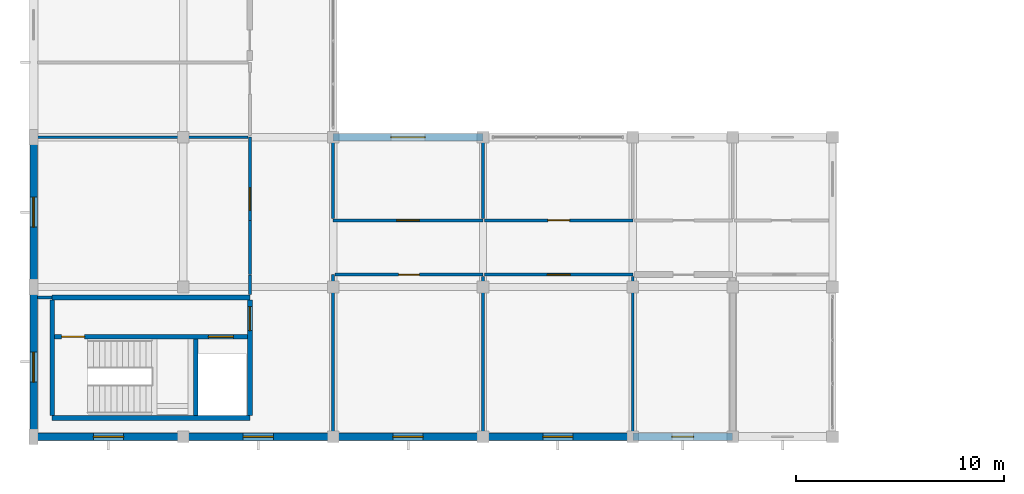
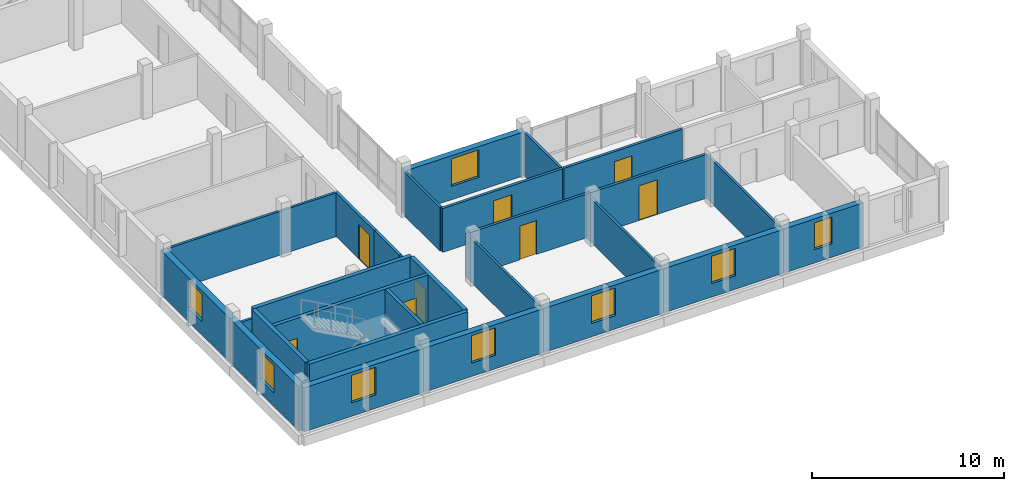
# One storey, part 54 of 66: 28 walls, 8 doors, 8 windows, 16 openings.
"""IFC4 building model written with IfcOpenShell, lengths in metres."""

from ifc_helpers import new_model, si_unit, direction, frame, frame_2d, origin, origin_with_axes, place, context, subcontext, project, spatial, rectangle, extrude, material, layer, layer_set, type_object, element, fill, save


model = new_model("IFC4")

# Units and contexts
model_context = context("Model", 3, precision=1e-05, world=origin(), true_north=direction((0.0, 1.0)))
body_context = subcontext(model_context, "Body", "Model", "MODEL_VIEW")
ifc_project = project(units=[si_unit("LENGTHUNIT", "METRE"), si_unit("AREAUNIT", "SQUARE_METRE"), si_unit("VOLUMEUNIT", "CUBIC_METRE"), si_unit("PLANEANGLEUNIT", "RADIAN"), si_unit("MASSUNIT", "GRAM", prefix="KILO")], contexts=[model_context])

# Site, building, storey
site_placement = place(None, origin())
site = spatial("IfcSite", under=ifc_project, at=site_placement, CompositionType="ELEMENT")
building_placement = place(site_placement, origin())
building = spatial("IfcBuilding", under=site, at=building_placement, Name="Zornivar Specialist Clinic", CompositionType="ELEMENT")
storey_placement = place(building_placement, frame((0.0, 0.0, 16.0)))
storey = spatial("IfcBuildingStorey", under=building, at=storey_placement, Name="L04", CompositionType="ELEMENT", Elevation=16.0)

# Wall, opening, window
ifc_material_1 = material(Name="Masonry Red-Ochre Brick and Stone Insulated Wall", Category="masonry")
ifc_layer_1 = layer(ifc_material_1, 0.360107421875)
ifc_layer_set_1 = layer_set([ifc_layer_1], Name="Masonry Red-Ochre Brick and Stone Insulated Wall")
wall_type_1 = type_object("IfcWallType", Name="EW-BRICK-360", PredefinedType="SOLIDWALL", material=ifc_layer_set_1)
wall_1_placement = place(storey_placement, origin_with_axes())
wall_1 = element("IfcWall", 1, at=wall_1_placement, inside=storey, type_object=wall_type_1, Name="ew:V2:L04:00", PredefinedType="SOLIDWALL", context=body_context, shape_type="SweptSolid", body=[
    extrude(rectangle(XDim=7.199951171875, YDim=0.360107421875, at=frame_2d((3.60009765625, 0.0))), origin(), (0.0, 0.0, 1.0), 2.800048828125),
])
opening_1_placement = place(wall_1_placement, frame((2.875, 0.0, 0.85009765625)))
opening_1 = element("IfcOpeningElement", 2, at=opening_1_placement, cuts=wall_1, Name="Opening W-08", PredefinedType="OPENING", context=body_context, shape_type="SweptSolid", body=[
    extrude(rectangle(XDim=1.449951171875, YDim=1.75, at=frame_2d((0.72509765625, 0.875))), frame((0.0, 0.18994140625, 0.0), z_axis=(0.0, -1.0, 0.0), x_axis=(1.0, 0.0, 0.0)), (0.0, 0.0, 1.0), 0.380126953125),
])
ifc_material_2 = material(Name="Triple-Glazed Aluminium-Timber Window Glass", Category="wood")
window_type_1 = type_object("IfcWindowType", Name="WIN-CUMBA-STREET-1450x1750", PartitioningType="SINGLE_PANEL", PredefinedType="WINDOW", material=ifc_material_2)
window_1_placement = place(opening_1_placement, origin())
window_1 = element("IfcWindow", 3, at=window_1_placement, inside=storey, type_object=window_type_1, Name="win:V2:L04:00", OverallHeight=1.75, OverallWidth=1.449951171875, PartitioningType="SINGLE_PANEL", PredefinedType="WINDOW", context=body_context, shape_type="SweptSolid", body=[
    extrude(rectangle(XDim=1.449951171875, YDim=1.75, at=frame_2d((0.72509765625, 0.875))), frame((0.0, 0.030029296875, 0.0), z_axis=(0.0, -1.0, 0.0), x_axis=(1.0, 0.0, 0.0)), (0.0, 0.0, 1.0), 0.06005859375),
])
fill(opening_1, window_1)

wall_2_placement = place(storey_placement, frame((7.199951171875, 0.0, 0.0), z_axis=(0.0, 0.0, 1.0), x_axis=(1.0, 0.0, 0.0)))
wall_2 = element("IfcWall", 4, at=wall_2_placement, inside=storey, type_object=wall_type_1, Name="ew:V2:L04:01", PredefinedType="SOLIDWALL", context=body_context, shape_type="SweptSolid", body=[
    extrude(rectangle(XDim=7.199951171875, YDim=0.360107421875, at=frame_2d((3.60009765625, 0.0))), origin(), (0.0, 0.0, 1.0), 2.800048828125),
])
opening_2_placement = place(wall_2_placement, frame((2.875, 0.0, 0.85009765625)))
opening_2 = element("IfcOpeningElement", 5, at=opening_2_placement, cuts=wall_2, Name="Opening W-08", PredefinedType="OPENING", context=body_context, shape_type="SweptSolid", body=[
    extrude(rectangle(XDim=1.449951171875, YDim=1.75, at=frame_2d((0.72509765625, 0.875))), frame((0.0, 0.18994140625, 0.0), z_axis=(0.0, -1.0, 0.0), x_axis=(1.0, 0.0, 0.0)), (0.0, 0.0, 1.0), 0.380126953125),
])
window_2_placement = place(opening_2_placement, origin())
window_2 = element("IfcWindow", 6, at=window_2_placement, inside=storey, type_object=window_type_1, Name="win:V2:L04:01", OverallHeight=1.75, OverallWidth=1.449951171875, PartitioningType="SINGLE_PANEL", PredefinedType="WINDOW", context=body_context, shape_type="SweptSolid", body=[
    extrude(rectangle(XDim=1.449951171875, YDim=1.75, at=frame_2d((0.72509765625, 0.875))), frame((0.0, 0.030029296875, 0.0), z_axis=(0.0, -1.0, 0.0), x_axis=(1.0, 0.0, 0.0)), (0.0, 0.0, 1.0), 0.06005859375),
])
fill(opening_2, window_2)

wall_3_placement = place(storey_placement, frame((14.39990234375, 0.0, 0.0), z_axis=(0.0, 0.0, 1.0), x_axis=(1.0, 0.0, 0.0)))
wall_3 = element("IfcWall", 7, at=wall_3_placement, inside=storey, type_object=wall_type_1, Name="ew:V2:L04:02", PredefinedType="SOLIDWALL", context=body_context, shape_type="SweptSolid", body=[
    extrude(rectangle(XDim=7.2001953125, YDim=0.360107421875, at=frame_2d((3.60009765625, 0.0))), origin(), (0.0, 0.0, 1.0), 2.800048828125),
])
opening_3_placement = place(wall_3_placement, frame((2.875, 0.0, 0.85009765625)))
opening_3 = element("IfcOpeningElement", 8, at=opening_3_placement, cuts=wall_3, Name="Opening W-08", PredefinedType="OPENING", context=body_context, shape_type="SweptSolid", body=[
    extrude(rectangle(XDim=1.449951171875, YDim=1.75, at=frame_2d((0.72509765625, 0.875))), frame((0.0, 0.18994140625, 0.0), z_axis=(0.0, -1.0, 0.0), x_axis=(1.0, 0.0, 0.0)), (0.0, 0.0, 1.0), 0.380126953125),
])
window_3_placement = place(opening_3_placement, origin())
window_3 = element("IfcWindow", 9, at=window_3_placement, inside=storey, type_object=window_type_1, Name="win:V2:L04:02", OverallHeight=1.75, OverallWidth=1.449951171875, PartitioningType="SINGLE_PANEL", PredefinedType="WINDOW", context=body_context, shape_type="SweptSolid", body=[
    extrude(rectangle(XDim=1.449951171875, YDim=1.75, at=frame_2d((0.72509765625, 0.875))), frame((0.0, 0.030029296875, 0.0), z_axis=(0.0, -1.0, 0.0), x_axis=(1.0, 0.0, 0.0)), (0.0, 0.0, 1.0), 0.06005859375),
])
fill(opening_3, window_3)

wall_4_placement = place(storey_placement, frame((21.60009765625, 0.0, 0.0), z_axis=(0.0, 0.0, 1.0), x_axis=(1.0, 0.0, 0.0)))
wall_4 = element("IfcWall", 10, at=wall_4_placement, inside=storey, type_object=wall_type_1, Name="ew:V2:L04:03", PredefinedType="SOLIDWALL", context=body_context, shape_type="SweptSolid", body=[
    extrude(rectangle(XDim=7.199951171875, YDim=0.360107421875, at=frame_2d((3.60009765625, 0.0))), origin(), (0.0, 0.0, 1.0), 2.800048828125),
])
opening_4_placement = place(wall_4_placement, frame((2.875, 0.0, 0.85009765625)))
opening_4 = element("IfcOpeningElement", 11, at=opening_4_placement, cuts=wall_4, Name="Opening W-08", PredefinedType="OPENING", context=body_context, shape_type="SweptSolid", body=[
    extrude(rectangle(XDim=1.449951171875, YDim=1.75, at=frame_2d((0.72509765625, 0.875))), frame((0.0, 0.18994140625, 0.0), z_axis=(0.0, -1.0, 0.0), x_axis=(1.0, 0.0, 0.0)), (0.0, 0.0, 1.0), 0.380126953125),
])
window_4_placement = place(opening_4_placement, origin())
window_4 = element("IfcWindow", 12, at=window_4_placement, inside=storey, type_object=window_type_1, Name="win:V2:L04:03", OverallHeight=1.75, OverallWidth=1.449951171875, PartitioningType="SINGLE_PANEL", PredefinedType="WINDOW", context=body_context, shape_type="SweptSolid", body=[
    extrude(rectangle(XDim=1.449951171875, YDim=1.75, at=frame_2d((0.72509765625, 0.875))), frame((0.0, 0.030029296875, 0.0), z_axis=(0.0, -1.0, 0.0), x_axis=(1.0, 0.0, 0.0)), (0.0, 0.0, 1.0), 0.06005859375),
])
fill(opening_4, window_4)

wall_5_placement = place(storey_placement, frame((28.800048828125, 0.0, 0.0), z_axis=(0.0, 0.0, 1.0), x_axis=(1.0, 0.0, 0.0)))
wall_5 = element("IfcWall", 13, at=wall_5_placement, inside=storey, type_object=wall_type_1, Name="ew:V2:L04:04", PredefinedType="SOLIDWALL", context=body_context, shape_type="SweptSolid", body=[
    extrude(rectangle(XDim=4.800048828125, YDim=0.360107421875, at=frame_2d((2.39990234375, 0.0))), origin(), (0.0, 0.0, 1.0), 2.800048828125),
])
opening_5_placement = place(wall_5_placement, frame((1.875, 0.0, 0.85009765625)))
opening_5 = element("IfcOpeningElement", 14, at=opening_5_placement, cuts=wall_5, Name="Opening W-10", PredefinedType="OPENING", context=body_context, shape_type="SweptSolid", body=[
    extrude(rectangle(XDim=1.050048828125, YDim=1.699951171875, at=frame_2d((0.52490234375, 0.85009765625))), frame((0.0, 0.18994140625, 0.0), z_axis=(0.0, -1.0, 0.0), x_axis=(1.0, 0.0, 0.0)), (0.0, 0.0, 1.0), 0.380126953125),
])
ifc_material_3 = material(Name="Triple-Glazed Aluminium-Timber Window Glass", Category="wood")
window_type_2 = type_object("IfcWindowType", Name="WIN-CUMBA-PIER-1050x1700", PartitioningType="SINGLE_PANEL", PredefinedType="WINDOW", material=ifc_material_3)
window_5_placement = place(opening_5_placement, origin())
window_5 = element("IfcWindow", 15, at=window_5_placement, inside=storey, type_object=window_type_2, Name="win:V2:L04:04", OverallHeight=1.699951171875, OverallWidth=1.050048828125, PartitioningType="SINGLE_PANEL", PredefinedType="WINDOW", context=body_context, shape_type="SweptSolid", body=[
    extrude(rectangle(XDim=1.050048828125, YDim=1.699951171875, at=frame_2d((0.52490234375, 0.85009765625))), frame((0.0, 0.030029296875, 0.0), z_axis=(0.0, -1.0, 0.0), x_axis=(1.0, 0.0, 0.0)), (0.0, 0.0, 1.0), 0.06005859375),
])
fill(opening_5, window_5)

wall_6_placement = place(storey_placement, frame((21.60009765625, 14.39990234375, 0.0), z_axis=(0.0, 0.0, 1.0), x_axis=(-1.0, 0.0, 0.0)))
wall_6 = element("IfcWall", 16, at=wall_6_placement, inside=storey, type_object=wall_type_1, Name="ew:V2:L04:11", PredefinedType="SOLIDWALL", context=body_context, shape_type="SweptSolid", body=[
    extrude(rectangle(XDim=7.2001953125, YDim=0.360107421875, at=frame_2d((3.60009765625, 0.0))), origin(), (0.0, 0.0, 1.0), 2.800048828125),
])
opening_6_placement = place(wall_6_placement, frame((2.77490234375, 0.0, 0.85009765625)))
opening_6 = element("IfcOpeningElement", 17, at=opening_6_placement, cuts=wall_6, Name="Opening W-09", PredefinedType="OPENING", context=body_context, shape_type="SweptSolid", body=[
    extrude(rectangle(XDim=1.64990234375, YDim=1.75, at=frame_2d((0.824951171875, 0.875))), frame((0.0, 0.18994140625, 0.0), z_axis=(0.0, -1.0, 0.0), x_axis=(1.0, 0.0, 0.0)), (0.0, 0.0, 1.0), 0.380126953125),
])
ifc_material_4 = material(Name="Triple-Glazed Aluminium-Timber Window Glass", Category="wood")
window_type_3 = type_object("IfcWindowType", Name="WIN-CUMBA-COURT-1650x1750", PartitioningType="SINGLE_PANEL", PredefinedType="WINDOW", material=ifc_material_4)
window_6_placement = place(opening_6_placement, origin())
window_6 = element("IfcWindow", 18, at=window_6_placement, inside=storey, type_object=window_type_3, Name="win:V2:L04:11", OverallHeight=1.75, OverallWidth=1.64990234375, PartitioningType="SINGLE_PANEL", PredefinedType="WINDOW", context=body_context, shape_type="SweptSolid", body=[
    extrude(rectangle(XDim=1.64990234375, YDim=1.75, at=frame_2d((0.824951171875, 0.875))), frame((0.0, 0.030029296875, 0.0), z_axis=(0.0, -1.0, 0.0), x_axis=(1.0, 0.0, 0.0)), (0.0, 0.0, 1.0), 0.06005859375),
])
fill(opening_6, window_6)

wall_7_placement = place(storey_placement, frame((0.0, 14.39990234375, 0.0), z_axis=(0.0, 0.0, 1.0), x_axis=(0.0, -1.0, 0.0)))
wall_7 = element("IfcWall", 19, at=wall_7_placement, inside=storey, type_object=wall_type_1, Name="ew:V2:L04:24", PredefinedType="SOLIDWALL", context=body_context, shape_type="SweptSolid", body=[
    extrude(rectangle(XDim=7.199951171875, YDim=0.360107421875, at=frame_2d((3.60009765625, 0.0))), origin(), (0.0, 0.0, 1.0), 2.800048828125),
])
opening_7_placement = place(wall_7_placement, frame((2.875, 0.0, 0.85009765625)))
opening_7 = element("IfcOpeningElement", 20, at=opening_7_placement, cuts=wall_7, Name="Opening W-08", PredefinedType="OPENING", context=body_context, shape_type="SweptSolid", body=[
    extrude(rectangle(XDim=1.449951171875, YDim=1.75, at=frame_2d((0.72509765625, 0.875))), frame((0.0, 0.18994140625, 0.0), z_axis=(0.0, -1.0, 0.0), x_axis=(1.0, 0.0, 0.0)), (0.0, 0.0, 1.0), 0.380126953125),
])
window_7_placement = place(opening_7_placement, origin())
window_7 = element("IfcWindow", 21, at=window_7_placement, inside=storey, type_object=window_type_1, Name="win:V2:L04:24", OverallHeight=1.75, OverallWidth=1.449951171875, PartitioningType="SINGLE_PANEL", PredefinedType="WINDOW", context=body_context, shape_type="SweptSolid", body=[
    extrude(rectangle(XDim=1.449951171875, YDim=1.75, at=frame_2d((0.72509765625, 0.875))), frame((0.0, 0.030029296875, 0.0), z_axis=(0.0, -1.0, 0.0), x_axis=(1.0, 0.0, 0.0)), (0.0, 0.0, 1.0), 0.06005859375),
])
fill(opening_7, window_7)

wall_8_placement = place(storey_placement, frame((0.0, 7.199951171875, 0.0), z_axis=(0.0, 0.0, 1.0), x_axis=(0.0, -1.0, 0.0)))
wall_8 = element("IfcWall", 22, at=wall_8_placement, inside=storey, type_object=wall_type_1, Name="ew:V2:L04:25", PredefinedType="SOLIDWALL", context=body_context, shape_type="SweptSolid", body=[
    extrude(rectangle(XDim=7.199951171875, YDim=0.360107421875, at=frame_2d((3.60009765625, 0.0))), origin(), (0.0, 0.0, 1.0), 2.800048828125),
])
opening_8_placement = place(wall_8_placement, frame((3.125, 0.0, 0.85009765625)))
opening_8 = element("IfcOpeningElement", 23, at=opening_8_placement, cuts=wall_8, Name="Opening W-08", PredefinedType="OPENING", context=body_context, shape_type="SweptSolid", body=[
    extrude(rectangle(XDim=1.449951171875, YDim=1.75, at=frame_2d((0.72509765625, 0.875))), frame((0.0, 0.18994140625, 0.0), z_axis=(0.0, -1.0, 0.0), x_axis=(1.0, 0.0, 0.0)), (0.0, 0.0, 1.0), 0.380126953125),
])
window_8_placement = place(opening_8_placement, origin())
window_8 = element("IfcWindow", 24, at=window_8_placement, inside=storey, type_object=window_type_1, Name="win:V2:L04:25", OverallHeight=1.75, OverallWidth=1.449951171875, PartitioningType="SINGLE_PANEL", PredefinedType="WINDOW", context=body_context, shape_type="SweptSolid", body=[
    extrude(rectangle(XDim=1.449951171875, YDim=1.75, at=frame_2d((0.72509765625, 0.875))), frame((0.0, 0.030029296875, 0.0), z_axis=(0.0, -1.0, 0.0), x_axis=(1.0, 0.0, 0.0)), (0.0, 0.0, 1.0), 0.06005859375),
])
fill(opening_8, window_8)

# Walls
ifc_material_5 = material(Name="Acoustic Clinical Stud Partition")
ifc_layer_2 = layer(ifc_material_5, 0.139892578125)
ifc_layer_set_2 = layer_set([ifc_layer_2], Name="Acoustic Clinical Stud Partition")
wall_type_2 = type_object("IfcWallType", Name="IW-CLIN-140", PredefinedType="PARTITIONING", material=ifc_layer_set_2)
wall_9_placement = place(storey_placement, frame((0.89990234375, 6.699951171875, 0.0), z_axis=(0.0, 0.0, 1.0), x_axis=(-1.0, 0.0, 0.0)))
element("IfcWall", 25, at=wall_9_placement, inside=storey, type_object=wall_type_2, Name="iw:L04:003", PredefinedType="PARTITIONING", context=body_context, shape_type="SweptSolid", body=[
    extrude(rectangle(XDim=0.704833984375, YDim=0.139892578125, at=frame_2d((0.3525390625, 0.0))), origin(), (0.0, 0.0, 1.0), 2.780029296875),
])
wall_10_placement = place(storey_placement, frame((0.195068359375, 14.39990234375, 0.0), z_axis=(0.0, 0.0, 1.0), x_axis=(1.0, 0.0, 0.0)))
element("IfcWall", 26, at=wall_10_placement, inside=storey, type_object=wall_type_2, Name="iw:L04:004", PredefinedType="PARTITIONING", context=body_context, shape_type="SweptSolid", body=[
    extrude(rectangle(XDim=10.11083984375, YDim=0.139892578125, at=frame_2d((5.055419921875, 0.0))), origin(), (0.0, 0.0, 1.0), 2.780029296875),
])
wall_11_placement = place(storey_placement, frame((14.39990234375, 0.195068359375, 0.0), z_axis=(0.0, 0.0, 1.0), x_axis=(0.0, 1.0, 0.0)))
element("IfcWall", 27, at=wall_11_placement, inside=storey, type_object=wall_type_2, Name="iw:L04:018", PredefinedType="PARTITIONING", context=body_context, shape_type="SweptSolid", body=[
    extrude(rectangle(XDim=7.60498046875, YDim=0.139892578125, at=frame_2d((3.802490234375, 0.0))), origin(), (0.0, 0.0, 1.0), 2.780029296875),
])
wall_12_placement = place(storey_placement, frame((21.60009765625, 7.7060546875, 0.0), z_axis=(0.0, 0.0, 1.0), x_axis=(0.0, -1.0, 0.0)))
element("IfcWall", 28, at=wall_12_placement, inside=storey, type_object=wall_type_2, Name="iw:L04:020", PredefinedType="PARTITIONING", context=body_context, shape_type="SweptSolid", body=[
    extrude(rectangle(XDim=7.510986328125, YDim=0.139892578125, at=frame_2d((3.75537109375, 0.0))), origin(), (0.0, 0.0, 1.0), 2.780029296875),
])
for number, where, z_axis, x_axis, name in (
    (29, (14.39990234375, 10.493896484375, 0.0), (0.0, 0.0, 1.0), (0.0, 1.0, 0.0), "iw:L04:022"),
    (30, (21.60009765625, 14.205078125, 0.0), (0.0, 0.0, 1.0), (0.0, -1.0, 0.0), "iw:L04:023"),
):
    element("IfcWall", number, at=place(storey_placement, frame(where, z_axis=z_axis, x_axis=x_axis)), inside=storey, type_object=wall_type_2, Name=name, PredefinedType="PARTITIONING", context=body_context, shape_type="SweptSolid", body=[
        extrude(rectangle(XDim=3.711181640625, YDim=0.139892578125, at=frame_2d((1.85546875, 0.0))), origin(), (0.0, 0.0, 1.0), 2.780029296875),
    ])
wall_13_placement = place(storey_placement, frame((28.800048828125, 7.7060546875, 0.0), z_axis=(0.0, 0.0, 1.0), x_axis=(0.0, -1.0, 0.0)))
element("IfcWall", 31, at=wall_13_placement, inside=storey, type_object=wall_type_2, Name="iw:L04:025", PredefinedType="PARTITIONING", context=body_context, shape_type="SweptSolid", body=[
    extrude(rectangle(XDim=7.510986328125, YDim=0.139892578125, at=frame_2d((3.75537109375, 0.0))), origin(), (0.0, 0.0, 1.0), 2.780029296875),
])

# Wall, opening, door
ifc_material_6 = material(Name="Gypsum Fire-Rated Double Stud Partition")
ifc_layer_3 = layer(ifc_material_6, 0.159912109375)
ifc_layer_set_3 = layer_set([ifc_layer_3], Name="Gypsum Fire-Rated Double Stud Partition")
wall_type_3 = type_object("IfcWallType", Name="IW-CORR-EI60-160", PredefinedType="PARTITIONING", material=ifc_layer_set_3)
wall_14_placement = place(storey_placement, frame((10.39990234375, 14.39990234375, 0.0), z_axis=(0.0, 0.0, 1.0), x_axis=(0.0, -1.0, 0.0)))
wall_14 = element("IfcWall", 32, at=wall_14_placement, inside=storey, type_object=wall_type_3, Name="iw:L04:000", PredefinedType="PARTITIONING", context=body_context, shape_type="SweptSolid", body=[
    extrude(rectangle(XDim=4.0, YDim=0.159912109375, at=frame_2d((2.0, 0.0))), origin(), (0.0, 0.0, 1.0), 2.780029296875),
])
opening_9_placement = place(wall_14_placement, frame((2.419921875, 0.0, 0.0)))
opening_9 = element("IfcOpeningElement", 33, at=opening_9_placement, cuts=wall_14, Name="Opening ID-05", PredefinedType="OPENING", context=body_context, shape_type="SweptSolid", body=[
    extrude(rectangle(XDim=1.10009765625, YDim=2.199951171875, at=frame_2d((0.550048828125, 1.10009765625))), frame((0.0, 0.08984375, 0.0), z_axis=(0.0, -1.0, 0.0), x_axis=(1.0, 0.0, 0.0)), (0.0, 0.0, 1.0), 0.179931640625),
])
ifc_material_7 = material(Name="Solid-Core Hygienic Laminate Timber Door", Category="wood")
door_type_1 = type_object("IfcDoorType", Name="ID-THER-1100x2200", OperationType="NOTDEFINED", PredefinedType="DOOR", material=ifc_material_7)
door_1_placement = place(opening_9_placement, origin())
door_1 = element("IfcDoor", 34, at=door_1_placement, inside=storey, type_object=door_type_1, Name="door:space:V2:L04:rm:00", OperationType="SINGLE_SWING_LEFT", OverallHeight=2.199951171875, OverallWidth=1.10009765625, PredefinedType="DOOR", context=body_context, shape_type="SweptSolid", body=[
    extrude(rectangle(XDim=1.10009765625, YDim=2.199951171875, at=frame_2d((0.550048828125, 1.10009765625))), frame((0.0, 0.02490234375, 0.0), z_axis=(0.0, -1.0, 0.0), x_axis=(1.0, 0.0, 0.0)), (0.0, 0.0, 1.0), 0.050048828125),
])
fill(opening_9, door_1)

# Walls
wall_15_placement = place(storey_placement, frame((10.39990234375, 10.387939453125, 0.0), z_axis=(0.0, 0.0, 1.0), x_axis=(0.0, -1.0, 0.0)))
element("IfcWall", 35, at=wall_15_placement, inside=storey, type_object=wall_type_3, Name="iw:L04:001", PredefinedType="PARTITIONING", context=body_context, shape_type="SweptSolid", body=[
    extrude(rectangle(XDim=2.587890625, YDim=0.159912109375, at=frame_2d((1.2939453125, 0.0))), origin(), (0.0, 0.0, 1.0), 2.780029296875),
])
wall_16_placement = place(storey_placement, frame((10.39990234375, 7.7880859375, 0.0), z_axis=(0.0, 0.0, 1.0), x_axis=(0.0, -1.0, 0.0)))
element("IfcWall", 36, at=wall_16_placement, inside=storey, type_object=wall_type_3, Name="iw:L04:002", PredefinedType="PARTITIONING", context=body_context, shape_type="SweptSolid", body=[
    extrude(rectangle(XDim=0.953125, YDim=0.159912109375, at=frame_2d((0.4765625, 0.0))), origin(), (0.0, 0.0, 1.0), 2.780029296875),
])

# Wall, opening, door
wall_17_placement = place(storey_placement, frame((14.48388671875, 7.800048828125, 0.0), z_axis=(0.0, 0.0, 1.0), x_axis=(1.0, 0.0, 0.0)))
wall_17 = element("IfcWall", 37, at=wall_17_placement, inside=storey, type_object=wall_type_3, Name="iw:L04:019", PredefinedType="PARTITIONING", context=body_context, shape_type="SweptSolid", body=[
    extrude(rectangle(XDim=7.1162109375, YDim=0.159912109375, at=frame_2d((3.55810546875, 0.0))), origin(), (0.0, 0.0, 1.0), 2.780029296875),
])
opening_10_placement = place(wall_17_placement, frame((3.05810546875, 0.0, 0.0)))
opening_10 = element("IfcOpeningElement", 38, at=opening_10_placement, cuts=wall_17, Name="Opening ID-04", PredefinedType="OPENING", context=body_context, shape_type="SweptSolid", body=[
    extrude(rectangle(XDim=1.0, YDim=2.14990234375, at=frame_2d((0.5, 1.074951171875))), frame((0.0, 0.08984375, 0.0), z_axis=(0.0, -1.0, 0.0), x_axis=(1.0, 0.0, 0.0)), (0.0, 0.0, 1.0), 0.179931640625),
])
ifc_material_8 = material(Name="Solid-Core Hygienic Laminate Timber Door", Category="wood")
door_type_2 = type_object("IfcDoorType", Name="ID-EXAM-1000x2150", OperationType="NOTDEFINED", PredefinedType="DOOR", material=ifc_material_8)
door_2_placement = place(opening_10_placement, origin())
door_2 = element("IfcDoor", 39, at=door_2_placement, inside=storey, type_object=door_type_2, Name="door:space:V2:L04:rm:07", OperationType="SINGLE_SWING_RIGHT", OverallHeight=2.14990234375, OverallWidth=1.0, PredefinedType="DOOR", context=body_context, shape_type="SweptSolid", body=[
    extrude(rectangle(XDim=1.0, YDim=2.14990234375, at=frame_2d((0.5, 1.074951171875))), frame((0.0, 0.02490234375, 0.0), z_axis=(0.0, -1.0, 0.0), x_axis=(1.0, 0.0, 0.0)), (0.0, 0.0, 1.0), 0.050048828125),
])
fill(opening_10, door_2)

wall_18_placement = place(storey_placement, frame((21.60009765625, 10.39990234375, 0.0), z_axis=(0.0, 0.0, 1.0), x_axis=(-1.0, 0.0, 0.0)))
wall_18 = element("IfcWall", 40, at=wall_18_placement, inside=storey, type_object=wall_type_3, Name="iw:L04:021", PredefinedType="PARTITIONING", context=body_context, shape_type="SweptSolid", body=[
    extrude(rectangle(XDim=7.2001953125, YDim=0.159912109375, at=frame_2d((3.60009765625, 0.0))), origin(), (0.0, 0.0, 1.0), 2.780029296875),
])
opening_11_placement = place(wall_18_placement, frame((3.050048828125, 0.0, 0.0)))
opening_11 = element("IfcOpeningElement", 41, at=opening_11_placement, cuts=wall_18, Name="Opening ID-05", PredefinedType="OPENING", context=body_context, shape_type="SweptSolid", body=[
    extrude(rectangle(XDim=1.10009765625, YDim=2.199951171875, at=frame_2d((0.550048828125, 1.10009765625))), frame((0.0, 0.08984375, 0.0), z_axis=(0.0, -1.0, 0.0), x_axis=(1.0, 0.0, 0.0)), (0.0, 0.0, 1.0), 0.179931640625),
])
door_3_placement = place(opening_11_placement, origin())
door_3 = element("IfcDoor", 42, at=door_3_placement, inside=storey, type_object=door_type_1, Name="door:space:V2:L04:rm:08", OperationType="SINGLE_SWING_LEFT", OverallHeight=2.199951171875, OverallWidth=1.10009765625, PredefinedType="DOOR", context=body_context, shape_type="SweptSolid", body=[
    extrude(rectangle(XDim=1.10009765625, YDim=2.199951171875, at=frame_2d((0.550048828125, 1.10009765625))), frame((0.0, 0.02490234375, 0.0), z_axis=(0.0, -1.0, 0.0), x_axis=(1.0, 0.0, 0.0)), (0.0, 0.0, 1.0), 0.050048828125),
])
fill(opening_11, door_3)

wall_19_placement = place(storey_placement, frame((21.68408203125, 7.800048828125, 0.0), z_axis=(0.0, 0.0, 1.0), x_axis=(1.0, 0.0, 0.0)))
wall_19 = element("IfcWall", 43, at=wall_19_placement, inside=storey, type_object=wall_type_3, Name="iw:L04:024", PredefinedType="PARTITIONING", context=body_context, shape_type="SweptSolid", body=[
    extrude(rectangle(XDim=7.115966796875, YDim=0.159912109375, at=frame_2d((3.55810546875, 0.0))), origin(), (0.0, 0.0, 1.0), 2.780029296875),
])
opening_12_placement = place(wall_19_placement, frame((3.008056640625, 0.0, 0.0)))
opening_12 = element("IfcOpeningElement", 44, at=opening_12_placement, cuts=wall_19, Name="Opening ID-05", PredefinedType="OPENING", context=body_context, shape_type="SweptSolid", body=[
    extrude(rectangle(XDim=1.10009765625, YDim=2.199951171875, at=frame_2d((0.550048828125, 1.10009765625))), frame((0.0, 0.08984375, 0.0), z_axis=(0.0, -1.0, 0.0), x_axis=(1.0, 0.0, 0.0)), (0.0, 0.0, 1.0), 0.179931640625),
])
door_4_placement = place(opening_12_placement, origin())
door_4 = element("IfcDoor", 45, at=door_4_placement, inside=storey, type_object=door_type_1, Name="door:space:V2:L04:rm:09", OperationType="SINGLE_SWING_RIGHT", OverallHeight=2.199951171875, OverallWidth=1.10009765625, PredefinedType="DOOR", context=body_context, shape_type="SweptSolid", body=[
    extrude(rectangle(XDim=1.10009765625, YDim=2.199951171875, at=frame_2d((0.550048828125, 1.10009765625))), frame((0.0, 0.02490234375, 0.0), z_axis=(0.0, -1.0, 0.0), x_axis=(1.0, 0.0, 0.0)), (0.0, 0.0, 1.0), 0.050048828125),
])
fill(opening_12, door_4)

wall_20_placement = place(storey_placement, frame((28.800048828125, 10.39990234375, 0.0), z_axis=(0.0, 0.0, 1.0), x_axis=(-1.0, 0.0, 0.0)))
wall_20 = element("IfcWall", 46, at=wall_20_placement, inside=storey, type_object=wall_type_3, Name="iw:L04:026", PredefinedType="PARTITIONING", context=body_context, shape_type="SweptSolid", body=[
    extrude(rectangle(XDim=7.115966796875, YDim=0.159912109375, at=frame_2d((3.55810546875, 0.0))), origin(), (0.0, 0.0, 1.0), 2.780029296875),
])
opening_13_placement = place(wall_20_placement, frame((3.032958984375, 0.0, 0.0)))
opening_13 = element("IfcOpeningElement", 47, at=opening_13_placement, cuts=wall_20, Name="Opening ID-03", PredefinedType="OPENING", context=body_context, shape_type="SweptSolid", body=[
    extrude(rectangle(XDim=1.050048828125, YDim=2.14990234375, at=frame_2d((0.52490234375, 1.074951171875))), frame((0.0, 0.08984375, 0.0), z_axis=(0.0, -1.0, 0.0), x_axis=(1.0, 0.0, 0.0)), (0.0, 0.0, 1.0), 0.179931640625),
])
ifc_material_9 = material(Name="Solid-Core Hygienic Laminate Timber Door", Category="wood")
door_type_3 = type_object("IfcDoorType", Name="ID-CONS-1050x2150", OperationType="NOTDEFINED", PredefinedType="DOOR", material=ifc_material_9)
door_5_placement = place(opening_13_placement, origin())
door_5 = element("IfcDoor", 48, at=door_5_placement, inside=storey, type_object=door_type_3, Name="door:space:V2:L04:rm:10", OperationType="SINGLE_SWING_LEFT", OverallHeight=2.14990234375, OverallWidth=1.050048828125, PredefinedType="DOOR", context=body_context, shape_type="SweptSolid", body=[
    extrude(rectangle(XDim=1.050048828125, YDim=2.14990234375, at=frame_2d((0.52490234375, 1.074951171875))), frame((0.0, 0.02490234375, 0.0), z_axis=(0.0, -1.0, 0.0), x_axis=(1.0, 0.0, 0.0)), (0.0, 0.0, 1.0), 0.050048828125),
])
fill(opening_13, door_5)

# Wall
ifc_material_10 = material(Name="Concrete C35/45", Category="concrete")
ifc_layer_4 = layer(ifc_material_10, 0.239990234375)
ifc_layer_set_4 = layer_set([ifc_layer_4], Name="Concrete C35/45")
wall_type_4 = type_object("IfcWallType", Name="SW-CORE-240", PredefinedType="SHEAR", material=ifc_layer_set_4)
wall_21_placement = place(storey_placement, frame((0.89990234375, 0.89990234375, 0.0), z_axis=(0.0, 0.0, 1.0), x_axis=(1.0, 0.0, 0.0)))
element("IfcWall", 49, at=wall_21_placement, inside=storey, type_object=wall_type_4, Name="sw:C1:L04:w0", PredefinedType="SHEAR", context=body_context, shape_type="SweptSolid", body=[
    extrude(rectangle(XDim=9.5, YDim=0.239990234375, at=frame_2d((4.75, 0.0))), origin(), (0.0, 0.0, 1.0), 3.419921875),
])

# Wall, opening, door
wall_22_placement = place(storey_placement, frame((10.39990234375, 1.02001953125, 0.0), z_axis=(0.0, 0.0, 1.0), x_axis=(0.0, 1.0, 0.0)))
wall_22 = element("IfcWall", 50, at=wall_22_placement, inside=storey, type_object=wall_type_4, Name="sw:C1:L04:w1", PredefinedType="SHEAR", context=body_context, shape_type="SweptSolid", body=[
    extrude(rectangle(XDim=5.56005859375, YDim=0.239990234375, at=frame_2d((2.780029296875, 0.0))), origin(), (0.0, 0.0, 1.0), 3.419921875),
])
opening_14_placement = place(wall_22_placement, frame((4.090087890625, 0.0, 0.0)))
opening_14 = element("IfcOpeningElement", 51, at=opening_14_placement, cuts=wall_22, Name="Opening FD-03", PredefinedType="OPENING", context=body_context, shape_type="SweptSolid", body=[
    extrude(rectangle(XDim=1.14990234375, YDim=2.199951171875, at=frame_2d((0.574951171875, 1.10009765625))), frame((0.0, 0.1298828125, 0.0), z_axis=(0.0, -1.0, 0.0), x_axis=(1.0, 0.0, 0.0)), (0.0, 0.0, 1.0), 0.260009765625),
])
ifc_material_11 = material(Name="Solid-Core Hygienic Laminate Timber Door", Category="wood")
door_type_4 = type_object("IfcDoorType", Name="FD-LOBBY-UPPER-1150x2200", OperationType="NOTDEFINED", PredefinedType="DOOR", material=ifc_material_11)
door_6_placement = place(opening_14_placement, origin())
door_6 = element("IfcDoor", 52, at=door_6_placement, inside=storey, type_object=door_type_4, Name="door:C1:L04:lob", OperationType="SINGLE_SWING_RIGHT", OverallHeight=2.199951171875, OverallWidth=1.14990234375, PredefinedType="DOOR", context=body_context, shape_type="SweptSolid", body=[
    extrude(rectangle(XDim=1.14990234375, YDim=2.199951171875, at=frame_2d((0.574951171875, 1.10009765625))), frame((0.0, 0.02490234375, 0.0), z_axis=(0.0, -1.0, 0.0), x_axis=(1.0, 0.0, 0.0)), (0.0, 0.0, 1.0), 0.050048828125),
])
fill(opening_14, door_6)

# Walls
wall_23_placement = place(storey_placement, frame((10.39990234375, 6.699951171875, 0.0), z_axis=(0.0, 0.0, 1.0), x_axis=(-1.0, 0.0, 0.0)))
element("IfcWall", 53, at=wall_23_placement, inside=storey, type_object=wall_type_4, Name="sw:C1:L04:w2", PredefinedType="SHEAR", context=body_context, shape_type="SweptSolid", body=[
    extrude(rectangle(XDim=9.5, YDim=0.239990234375, at=frame_2d((4.75, 0.0))), origin(), (0.0, 0.0, 1.0), 3.419921875),
])
wall_24_placement = place(storey_placement, frame((0.89990234375, 6.580078125, 0.0), z_axis=(0.0, 0.0, 1.0), x_axis=(0.0, -1.0, 0.0)))
element("IfcWall", 54, at=wall_24_placement, inside=storey, type_object=wall_type_4, Name="sw:C1:L04:w3", PredefinedType="SHEAR", context=body_context, shape_type="SweptSolid", body=[
    extrude(rectangle(XDim=5.56005859375, YDim=0.239990234375, at=frame_2d((2.780029296875, 0.0))), origin(), (0.0, 0.0, 1.0), 3.419921875),
])
ifc_material_12 = material(Name="Concrete C30/37", Category="concrete")
ifc_layer_5 = layer(ifc_material_12, 0.199951171875)
ifc_layer_set_5 = layer_set([ifc_layer_5], Name="Concrete C30/37")
wall_type_5 = type_object("IfcWallType", Name="SW-LIFT-200", PredefinedType="SHEAR", material=ifc_layer_set_5)
wall_25_placement = place(storey_placement, frame((7.800048828125, 1.02001953125, 0.0), z_axis=(0.0, 0.0, 1.0), x_axis=(0.0, 1.0, 0.0)))
element("IfcWall", 55, at=wall_25_placement, inside=storey, type_object=wall_type_5, Name="sw:C1:L04:sdiv", PredefinedType="SHEAR", context=body_context, shape_type="SweptSolid", body=[
    extrude(rectangle(XDim=3.679931640625, YDim=0.199951171875, at=frame_2d((1.83984375, 0.0))), origin(), (0.0, 0.0, 1.0), 3.419921875),
])

# Wall, openings, doors
ifc_material_13 = material(Name="Concrete C30/37", Category="concrete")
ifc_layer_6 = layer(ifc_material_13, 0.219970703125)
ifc_layer_set_6 = layer_set([ifc_layer_6], Name="Concrete C30/37")
wall_type_6 = type_object("IfcWallType", Name="SW-SHAFT-220", PredefinedType="SHEAR", material=ifc_layer_set_6)
wall_26_placement = place(storey_placement, frame((1.02001953125, 4.81005859375, 0.0), z_axis=(0.0, 0.0, 1.0), x_axis=(1.0, 0.0, 0.0)))
wall_26 = element("IfcWall", 56, at=wall_26_placement, inside=storey, type_object=wall_type_6, Name="sw:C1:L04:stwall", PredefinedType="SHEAR", context=body_context, shape_type="SweptSolid", body=[
    extrude(rectangle(XDim=9.260009765625, YDim=0.219970703125, at=frame_2d((4.6298828125, 0.0))), origin(), (0.0, 0.0, 1.0), 3.419921875),
])
opening_15_placement = place(wall_26_placement, frame((0.330078125, 0.0, 0.0)))
opening_15 = element("IfcOpeningElement", 57, at=opening_15_placement, cuts=wall_26, Name="Opening FD-02", PredefinedType="OPENING", context=body_context, shape_type="SweptSolid", body=[
    extrude(rectangle(XDim=1.10009765625, YDim=2.14990234375, at=frame_2d((0.550048828125, 1.074951171875))), frame((0.0, 0.119873046875, 0.0), z_axis=(0.0, -1.0, 0.0), x_axis=(1.0, 0.0, 0.0)), (0.0, 0.0, 1.0), 0.239990234375),
])
opening_16_placement = place(wall_26_placement, frame((7.3798828125, 0.0, 0.0)))
opening_16 = element("IfcOpeningElement", 58, at=opening_16_placement, cuts=wall_26, Name="Opening LD-01", PredefinedType="OPENING", context=body_context, shape_type="SweptSolid", body=[
    extrude(rectangle(XDim=1.199951171875, YDim=2.199951171875, at=frame_2d((0.60009765625, 1.10009765625))), frame((0.0, 0.119873046875, 0.0), z_axis=(0.0, -1.0, 0.0), x_axis=(1.0, 0.0, 0.0)), (0.0, 0.0, 1.0), 0.239990234375),
])
ifc_material_14 = material(Name="Solid-Core Hygienic Laminate Timber Door", Category="wood")
door_type_5 = type_object("IfcDoorType", Name="FD-STAIR-1100x2150", OperationType="NOTDEFINED", PredefinedType="DOOR", material=ifc_material_14)
door_7_placement = place(opening_15_placement, origin())
door_7 = element("IfcDoor", 59, at=door_7_placement, inside=storey, type_object=door_type_5, Name="door:C1:L04:stair", OperationType="SINGLE_SWING_LEFT", OverallHeight=2.14990234375, OverallWidth=1.10009765625, PredefinedType="DOOR", context=body_context, shape_type="SweptSolid", body=[
    extrude(rectangle(XDim=1.10009765625, YDim=2.14990234375, at=frame_2d((0.550048828125, 1.074951171875))), frame((0.0, 0.02490234375, 0.0), z_axis=(0.0, -1.0, 0.0), x_axis=(1.0, 0.0, 0.0)), (0.0, 0.0, 1.0), 0.050048828125),
])
fill(opening_15, door_7)
ifc_material_15 = material(Name="Stainless Steel Lift Landing Sliding Door", Category="steel")
door_type_6 = type_object("IfcDoorType", Name="LD-LIFT-1200x2200", OperationType="NOTDEFINED", PredefinedType="DOOR", material=ifc_material_15)
door_8_placement = place(opening_16_placement, origin())
door_8 = element("IfcDoor", 60, at=door_8_placement, inside=storey, type_object=door_type_6, Name="door:C1:L04:lift", OperationType="DOUBLE_DOOR_SLIDING", OverallHeight=2.199951171875, OverallWidth=1.199951171875, PredefinedType="DOOR", context=body_context, shape_type="SweptSolid", body=[
    extrude(rectangle(XDim=1.199951171875, YDim=2.199951171875, at=frame_2d((0.60009765625, 1.10009765625))), frame((0.0, 0.02490234375, 0.0), z_axis=(0.0, -1.0, 0.0), x_axis=(1.0, 0.0, 0.0)), (0.0, 0.0, 1.0), 0.050048828125),
])
fill(opening_16, door_8)

save(model, "model.ifc")
